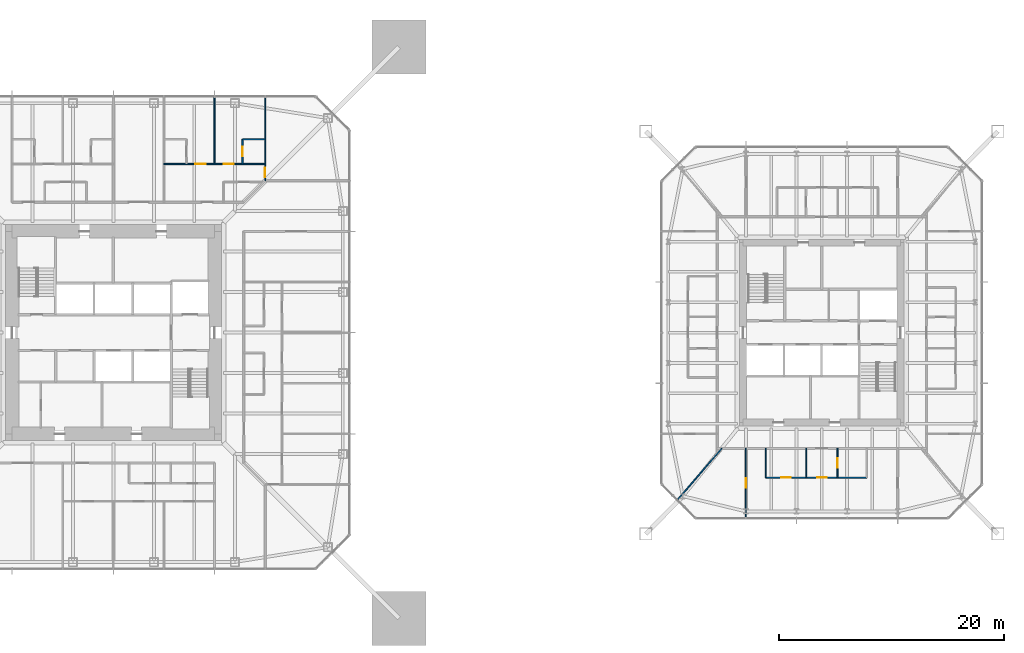
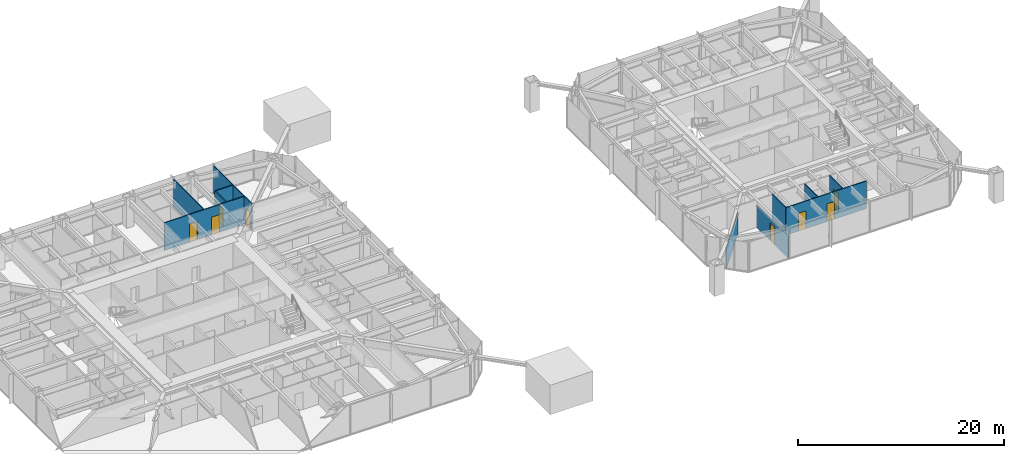
# One storey, part 16 of 25: 11 walls, 8 doors, 8 openings.
"""IFC4 building model written with IfcOpenShell, lengths in metres."""

import ifcopenshell
import ifcopenshell.guid

model = None  # the IFC model being written
_history = None  # IfcOwnerHistory: only IFC2X3 demands one
_inside = {}  # id of a spatial element -> (the spatial element, [elements in it])
_under = {}  # id of a project, library or spatial element -> (it, [spatial elements below it])
_declared = {}  # id of a project -> (the project, [libraries it declares])
_typed = {}  # id of a type object -> (the type object, [elements of that type])
_made_of = {}  # id of a material, layer set ... -> (it, [elements and type objects made of it])


def new_model(schema):
    """Start an empty IFC model of exactly this schema.

    Asked for "IFC4X3", IfcOpenShell would pick the latest addendum, in which some entities
    have other attributes; the version numbers below select the first issue.
    IFC2X3 requires an IfcOwnerHistory on every rooted entity: one is made here for all.
    """
    global model, _history
    if schema == "IFC4X3":
        model = ifcopenshell.file(schema_version=(4, 3, 0, 0))
    else:
        model = ifcopenshell.file(schema=schema)
    _inside.clear()
    _under.clear()
    _declared.clear()
    _typed.clear()
    _made_of.clear()
    _history = None
    if model.schema == "IFC2X3":
        org = make("IfcOrganization", Name="unknown")
        user = make(
            "IfcPersonAndOrganization",
            ThePerson=make("IfcPerson", FamilyName="unknown"),
            TheOrganization=org,
        )
        app = make(
            "IfcApplication",
            ApplicationDeveloper=org,
            Version="unknown",
            ApplicationFullName="unknown",
            ApplicationIdentifier="unknown",
        )
        _history = make(
            "IfcOwnerHistory",
            OwningUser=user,
            OwningApplication=app,
            ChangeAction="ADDED",
            CreationDate=0,
        )
    return model


def make(cls, **values):
    """One entity of the class cls with the attributes given. An attribute that is None is left unset."""
    return model.create_entity(
        cls, **{name: value for name, value in values.items() if value is not None}
    )


def rooted(cls, **values):
    """An entity with a GlobalId (a new one), such as an element, a storey or a relation."""
    return make(cls, GlobalId=ifcopenshell.guid.new(), OwnerHistory=_history, **values)


def si_unit(unit_type, name, prefix=None):
    """IfcSIUnit, for example si_unit("LENGTHUNIT", "METRE", prefix="MILLI")."""
    return make("IfcSIUnit", UnitType=unit_type, Prefix=prefix, Name=name)


def assignment(units):
    """IfcUnitAssignment: the units of a project."""
    return None if units is None else make("IfcUnitAssignment", Units=units)


def point(xyz):
    """IfcCartesianPoint."""
    return None if xyz is None else make("IfcCartesianPoint", Coordinates=xyz)


def direction(xyz):
    """IfcDirection."""
    return None if xyz is None else make("IfcDirection", DirectionRatios=xyz)


def frame(location, z_axis=None, x_axis=None):
    """IfcAxis2Placement3D, a coordinate frame: its origin and axes. An axis left out is left unset."""
    return make(
        "IfcAxis2Placement3D",
        Location=point(location),
        Axis=direction(z_axis),
        RefDirection=direction(x_axis),
    )


def frame_2d(location, x_axis=None):
    """IfcAxis2Placement2D, a coordinate frame in the plane: its origin and x axis."""
    return make(
        "IfcAxis2Placement2D", Location=point(location), RefDirection=direction(x_axis)
    )


def origin():
    """The frame at (0, 0, 0) with its axes left unset."""
    return frame((0.0, 0.0, 0.0))


def place(relative_to, where):
    """IfcLocalPlacement: puts the frame where relative to a parent placement (None: the world)."""
    return make(
        "IfcLocalPlacement", PlacementRelTo=relative_to, RelativePlacement=where
    )


def context(
    kind, dimensions, precision=None, world=None, true_north=None, identifier=None
):
    """IfcGeometricRepresentationContext, for example the 3D "Model" context."""
    return make(
        "IfcGeometricRepresentationContext",
        ContextIdentifier=identifier,
        ContextType=kind,
        CoordinateSpaceDimension=dimensions,
        Precision=precision,
        WorldCoordinateSystem=world,
        TrueNorth=true_north,
    )


def subcontext(parent, identifier, kind, view, scale=None):
    """IfcGeometricRepresentationSubContext, for example "Body" below "Model"."""
    return make(
        "IfcGeometricRepresentationSubContext",
        ContextIdentifier=identifier,
        ContextType=kind,
        ParentContext=parent,
        TargetScale=scale,
        TargetView=view,
    )


def project(units=None, contexts=None):
    """IfcProject with its units and contexts."""
    return rooted(
        "IfcProject",
        Name="project",
        RepresentationContexts=contexts,
        UnitsInContext=assignment(units),
    )


def spatial(cls, under=None, at=None, **own):
    """A site, building, storey or space (cls), placed at a placement, below another one or the project."""
    s = rooted(cls, ObjectPlacement=at, **own)
    if under is not None:
        _under.setdefault(under.id(), (under, []))[1].append(s)
    return s


def profile(cls, at=None, kind="AREA", **sizes):
    """A parametric profile (cls). Its sizes go by their IFC names, for example OverallWidth=200.0."""
    return make(cls, ProfileType=kind, Position=at, **sizes)


def rectangle(**sizes):
    """IfcRectangleProfileDef."""
    return profile("IfcRectangleProfileDef", **sizes)


def extrude(swept, where, along, depth):
    """IfcExtrudedAreaSolid: the profile swept, set in the frame where, extruded along a direction by depth."""
    return make(
        "IfcExtrudedAreaSolid",
        SweptArea=swept,
        Position=where,
        ExtrudedDirection=direction(along),
        Depth=depth,
    )


def shape(context_of_items, identifier, shape_type, items):
    """IfcShapeRepresentation: the items that make up one representation, for example the "Body"."""
    return make(
        "IfcShapeRepresentation",
        ContextOfItems=context_of_items,
        RepresentationIdentifier=identifier,
        RepresentationType=shape_type,
        Items=items,
    )


def material(Name=None, Category=None):
    """IfcMaterial."""
    return make("IfcMaterial", Name=Name, Category=Category)


def layer(
    of_material, thickness, ventilated=None, Name=None, Category=None, Priority=None
):
    """IfcMaterialLayer: one layer of a wall or slab, of a material (None: an air gap)."""
    return make(
        "IfcMaterialLayer",
        Material=of_material,
        LayerThickness=thickness,
        IsVentilated=ventilated,
        Name=Name,
        Category=Category,
        Priority=Priority,
    )


def layer_set(layers, Name=None):
    """IfcMaterialLayerSet."""
    return make("IfcMaterialLayerSet", MaterialLayers=layers, LayerSetName=Name)


def made_of(thing, what):
    """Note that an element or type object is made of a material, layer set ...; save() writes the relation."""
    if what is not None:
        _made_of.setdefault(what.id(), (what, []))[1].append(thing)
    return thing


def type_object(cls, material=None, **own):
    """A type object (cls), such as IfcWallType, which elements share."""
    return made_of(rooted(cls, **own), material)


def element(
    cls,
    number,
    at=None,
    inside=None,
    cuts=None,
    type_object=None,
    material=None,
    context=None,
    identifier="Body",
    shape_type=None,
    held_by="IfcProductDefinitionShape",
    body=None,
    shapes=None,
    **own,
):
    """One element of the class cls, such as IfcWall. Its Tag is "e" and its number.

    at: its placement. inside: the storey or other place that contains it. cuts: it is an
    opening in that element (IfcRelVoidsElement). A single representation is given by context,
    identifier, shape_type and body (its items); several are given by shapes. held_by: the class
    of the entity that holds the representations. save() writes the other relations.
    """
    e = rooted(cls, Tag="e%d" % number, ObjectPlacement=at, **own)
    if body is not None:
        shapes = [shape(context, identifier, shape_type, body)]
    if shapes is not None:
        e.Representation = make(held_by, Representations=shapes)
    if inside is not None:
        _inside.setdefault(inside.id(), (inside, []))[1].append(e)
    if cuts is not None:
        rooted(
            "IfcRelVoidsElement", RelatingBuildingElement=cuts, RelatedOpeningElement=e
        )
    if type_object is not None:
        _typed.setdefault(type_object.id(), (type_object, []))[1].append(e)
    return made_of(e, material)


def fill(opening, filler):
    """IfcRelFillsElement: the door or window that sits in an opening."""
    return rooted(
        "IfcRelFillsElement",
        RelatingOpeningElement=opening,
        RelatedBuildingElement=filler,
    )


def aggregate(whole, parts):
    """IfcRelAggregates: a whole, such as a stair, and the parts it consists of."""
    return rooted("IfcRelAggregates", RelatingObject=whole, RelatedObjects=parts)


def save(model, path):
    """Write the relations noted so far, then the file.

    IfcRelAggregates (storeys below a building ...), IfcRelContainedInSpatialStructure (elements
    in a storey), IfcRelDefinesByType, IfcRelAssociatesMaterial and IfcRelDeclares: one each for
    every whole, place, type object, material and project.
    """
    for whole, parts in _under.values():
        aggregate(whole, parts)
    for where, things in _inside.values():
        rooted(
            "IfcRelContainedInSpatialStructure",
            RelatedElements=things,
            RelatingStructure=where,
        )
    for kind, things in _typed.values():
        rooted("IfcRelDefinesByType", RelatedObjects=things, RelatingType=kind)
    for what, things in _made_of.values():
        rooted("IfcRelAssociatesMaterial", RelatedObjects=things, RelatingMaterial=what)
    for by, libraries in _declared.values():
        rooted("IfcRelDeclares", RelatingContext=by, RelatedDefinitions=libraries)
    model.write(path)


model = new_model("IFC4")

# Units and contexts
model_context = context("Model", 3, precision=1e-05, world=origin(), true_north=direction((0.0, 1.0)))
body_context = subcontext(model_context, "Body", "Model", "MODEL_VIEW")
ifc_project = project(units=[si_unit("LENGTHUNIT", "METRE"), si_unit("AREAUNIT", "SQUARE_METRE"), si_unit("VOLUMEUNIT", "CUBIC_METRE"), si_unit("PLANEANGLEUNIT", "RADIAN"), si_unit("MASSUNIT", "GRAM", prefix="KILO")], contexts=[model_context])

# Site, building, storey
site_placement = place(None, origin())
site = spatial("IfcSite", under=ifc_project, at=site_placement, CompositionType="ELEMENT")
building_placement = place(site_placement, origin())
building = spatial("IfcBuilding", under=site, at=building_placement, Name="Iwan Alto Co-Living Towers", CompositionType="ELEMENT")
storey_placement = place(building_placement, frame((0.0, 0.0, 112.0)))
storey = spatial("IfcBuildingStorey", under=building, at=storey_placement, Name="L30", CompositionType="ELEMENT", Elevation=112.0)

# Wall, openings, doors
ifc_material_1 = material(Name="Gypsum board")
ifc_layer_1 = layer(ifc_material_1, 0.012451171875, Name="Board", Category="Finish")
ifc_material_2 = material(Name="Steel ASTM A1003 ST33H cold-formed studs", Category="steel")
ifc_layer_2 = layer(ifc_material_2, 0.074951171875, Name="Studs", Category="Framing")
ifc_layer_3 = layer(ifc_material_1, 0.012451171875, Name="Board", Category="Finish")
ifc_layer_set_1 = layer_set([ifc_layer_1, ifc_layer_2, ifc_layer_3], Name="PARTITION 100")
wall_type_1 = type_object("IfcWallType", Name="PARTITION 100", PredefinedType="PARTITIONING", material=ifc_layer_set_1)
wall_1_placement = place(storey_placement, frame((58.0, -12.89990234375, 0.0), z_axis=(0.0, 0.0, 1.0), x_axis=(1.0, 0.0, 0.0)))
wall_1 = element("IfcWall", 1, at=wall_1_placement, inside=storey, type_object=wall_type_1, Name="Partition L30", PredefinedType="PARTITIONING", context=body_context, shape_type="SweptSolid", body=[
    extrude(rectangle(XDim=9.0, YDim=0.10009765625, at=frame_2d((4.5, 0.0))), origin(), (0.0, 0.0, 1.0), 3.27001953125),
])
opening_1_placement = place(wall_1_placement, frame((1.375, 0.0, 0.0)))
opening_1 = element("IfcOpeningElement", 2, at=opening_1_placement, cuts=wall_1, Name="Opening D2", PredefinedType="OPENING", context=body_context, shape_type="SweptSolid", body=[
    extrude(rectangle(XDim=0.85009765625, YDim=2.10009765625, at=frame_2d((0.425048828125, 1.050048828125))), frame((0.0, 0.06005859375, 0.0), z_axis=(0.0, -1.0, 0.0), x_axis=(1.0, 0.0, 0.0)), (0.0, 0.0, 1.0), 0.1201171875),
])
opening_2_placement = place(wall_1_placement, frame((4.574951171875, 0.0, 0.0)))
opening_2 = element("IfcOpeningElement", 3, at=opening_2_placement, cuts=wall_1, Name="Opening D2", PredefinedType="OPENING", context=body_context, shape_type="SweptSolid", body=[
    extrude(rectangle(XDim=0.85009765625, YDim=2.10009765625, at=frame_2d((0.425048828125, 1.050048828125))), frame((0.0, 0.06005859375, 0.0), z_axis=(0.0, -1.0, 0.0), x_axis=(1.0, 0.0, 0.0)), (0.0, 0.0, 1.0), 0.1201171875),
])
ifc_material_3 = material(Name="Timber leaf in steel frame", Category="steel")
door_type_1 = type_object("IfcDoorType", Name="ROOM DOOR 850X2100", OperationType="SINGLE_SWING_LEFT", PredefinedType="DOOR", material=ifc_material_3)
door_1_placement = place(opening_1_placement, frame((0.85009765625, 0.0, 0.0), z_axis=(0.0, 0.0, 1.0), x_axis=(-1.0, 0.0, 0.0)))
door_1 = element("IfcDoor", 4, at=door_1_placement, inside=storey, type_object=door_type_1, Name="Kitchen door L30", OperationType="SINGLE_SWING_RIGHT", OverallHeight=2.10009765625, OverallWidth=0.85009765625, PredefinedType="DOOR", context=body_context, shape_type="SweptSolid", body=[
    extrude(rectangle(XDim=0.85009765625, YDim=2.10009765625, at=frame_2d((0.425048828125, 1.050048828125))), frame((0.0, 0.02490234375, 0.0), z_axis=(0.0, -1.0, 0.0), x_axis=(1.0, 0.0, 0.0)), (0.0, 0.0, 1.0), 0.050048828125),
])
fill(opening_1, door_1)
door_2_placement = place(opening_2_placement, frame((0.85009765625, 0.0, 0.0), z_axis=(0.0, 0.0, 1.0), x_axis=(-1.0, 0.0, 0.0)))
door_2 = element("IfcDoor", 5, at=door_2_placement, inside=storey, type_object=door_type_1, Name="Apartment foyer door L30", OperationType="SINGLE_SWING_RIGHT", OverallHeight=2.10009765625, OverallWidth=0.85009765625, PredefinedType="DOOR", context=body_context, shape_type="SweptSolid", body=[
    extrude(rectangle(XDim=0.85009765625, YDim=2.10009765625, at=frame_2d((0.425048828125, 1.050048828125))), frame((0.0, 0.02490234375, 0.0), z_axis=(0.0, -1.0, 0.0), x_axis=(1.0, 0.0, 0.0)), (0.0, 0.0, 1.0), 0.050048828125),
])
fill(opening_2, door_2)

wall_2_placement = place(storey_placement, frame((4.5, 15.0, 0.0), z_axis=(0.0, 0.0, 1.0), x_axis=(1.0, 0.0, 0.0)))
wall_2 = element("IfcWall", 6, at=wall_2_placement, inside=storey, type_object=wall_type_1, Name="Partition L30", PredefinedType="PARTITIONING", context=body_context, shape_type="SweptSolid", body=[
    extrude(rectangle(XDim=9.0, YDim=0.10009765625, at=frame_2d((4.5, 0.0))), origin(), (0.0, 0.0, 1.0), 3.27001953125),
])
opening_3_placement = place(wall_2_placement, frame((5.300048828125, 0.0, 0.0)))
opening_3 = element("IfcOpeningElement", 7, at=opening_3_placement, cuts=wall_2, Name="Opening D1", PredefinedType="OPENING", context=body_context, shape_type="SweptSolid", body=[
    extrude(rectangle(XDim=0.89990234375, YDim=2.10009765625, at=frame_2d((0.449951171875, 1.050048828125))), frame((0.0, 0.06005859375, 0.0), z_axis=(0.0, -1.0, 0.0), x_axis=(1.0, 0.0, 0.0)), (0.0, 0.0, 1.0), 0.1201171875),
])
opening_4_placement = place(wall_2_placement, frame((2.800048828125, 0.0, 0.0)))
opening_4 = element("IfcOpeningElement", 8, at=opening_4_placement, cuts=wall_2, Name="Opening D1", PredefinedType="OPENING", context=body_context, shape_type="SweptSolid", body=[
    extrude(rectangle(XDim=0.89990234375, YDim=2.10009765625, at=frame_2d((0.449951171875, 1.050048828125))), frame((0.0, 0.06005859375, 0.0), z_axis=(0.0, -1.0, 0.0), x_axis=(1.0, 0.0, 0.0)), (0.0, 0.0, 1.0), 0.1201171875),
])
ifc_material_4 = material(Name="Timber leaf in steel frame", Category="steel")
door_type_2 = type_object("IfcDoorType", Name="BEDROOM DOOR 900X2100", OperationType="SINGLE_SWING_LEFT", PredefinedType="DOOR", material=ifc_material_4)
door_3_placement = place(opening_3_placement, frame((0.89990234375, 0.0, 0.0), z_axis=(0.0, 0.0, 1.0), x_axis=(-1.0, 0.0, 0.0)))
door_3 = element("IfcDoor", 9, at=door_3_placement, inside=storey, type_object=door_type_2, Name="Study bedroom door L30", OperationType="SINGLE_SWING_LEFT", OverallHeight=2.10009765625, OverallWidth=0.89990234375, PredefinedType="DOOR", context=body_context, shape_type="SweptSolid", body=[
    extrude(rectangle(XDim=0.89990234375, YDim=2.10009765625, at=frame_2d((0.449951171875, 1.050048828125))), frame((0.0, 0.02490234375, 0.0), z_axis=(0.0, -1.0, 0.0), x_axis=(1.0, 0.0, 0.0)), (0.0, 0.0, 1.0), 0.050048828125),
])
fill(opening_3, door_3)
door_4_placement = place(opening_4_placement, frame((0.89990234375, 0.0, 0.0), z_axis=(0.0, 0.0, 1.0), x_axis=(-1.0, 0.0, 0.0)))
door_4 = element("IfcDoor", 10, at=door_4_placement, inside=storey, type_object=door_type_2, Name="Study bedroom door L30", OperationType="SINGLE_SWING_RIGHT", OverallHeight=2.10009765625, OverallWidth=0.89990234375, PredefinedType="DOOR", context=body_context, shape_type="SweptSolid", body=[
    extrude(rectangle(XDim=0.89990234375, YDim=2.10009765625, at=frame_2d((0.449951171875, 1.050048828125))), frame((0.0, 0.02490234375, 0.0), z_axis=(0.0, -1.0, 0.0), x_axis=(1.0, 0.0, 0.0)), (0.0, 0.0, 1.0), 0.050048828125),
])
fill(opening_4, door_4)

# Walls
wall_3_placement = place(storey_placement, frame((50.179931640625, -14.844970703125, 0.0), z_axis=(0.0, 0.0, 1.0), x_axis=(0.653585997703, 0.756852260092, 0.0)))
element("IfcWall", 11, at=wall_3_placement, inside=storey, type_object=wall_type_1, Name="Partition L30", PredefinedType="PARTITIONING", context=body_context, shape_type="SweptSolid", body=[
    extrude(rectangle(XDim=6.005126953125, YDim=0.10009765625, at=frame_2d((3.00244140625, 0.0))), origin(), (0.0, 0.0, 1.0), 2.42919921875),
])
for number, where, z_axis, x_axis, name in (
    (12, (61.60009765625, -12.89990234375, 0.0), (0.0, 0.0, 1.0), (0.0, 1.0, 0.0), "Partition L30"),
    (13, (58.0, -12.89990234375, 0.0), (0.0, 0.0, 1.0), (0.0, 1.0, 0.0), "Partition L30"),
):
    element("IfcWall", number, at=place(storey_placement, frame(where, z_axis=z_axis, x_axis=x_axis)), inside=storey, type_object=wall_type_1, Name=name, PredefinedType="PARTITIONING", context=body_context, shape_type="SweptSolid", body=[
        extrude(rectangle(XDim=2.599853515625, YDim=0.10009765625, at=frame_2d((1.2998046875, 0.0))), origin(), (0.0, 0.0, 1.0), 3.27001953125),
    ])

# Wall, opening, door
wall_4_placement = place(storey_placement, frame((56.25, -16.43994140625, 0.0), z_axis=(0.0, 0.0, 1.0), x_axis=(0.0, 1.0, 0.0)))
wall_4 = element("IfcWall", 14, at=wall_4_placement, inside=storey, type_object=wall_type_1, Name="Partition L30", PredefinedType="PARTITIONING", context=body_context, shape_type="SweptSolid", body=[
    extrude(rectangle(XDim=6.139892578125, YDim=0.10009765625, at=frame_2d((3.06982421875, 0.0))), origin(), (0.0, 0.0, 1.0), 2.586669921875),
])
opening_5_placement = place(wall_4_placement, frame((2.64501953125, 0.0, 0.0)))
opening_5 = element("IfcOpeningElement", 15, at=opening_5_placement, cuts=wall_4, Name="Opening D2", PredefinedType="OPENING", context=body_context, shape_type="SweptSolid", body=[
    extrude(rectangle(XDim=0.85009765625, YDim=2.10009765625, at=frame_2d((0.425048828125, 1.050048828125))), frame((0.0, 0.06005859375, 0.0), z_axis=(0.0, -1.0, 0.0), x_axis=(1.0, 0.0, 0.0)), (0.0, 0.0, 1.0), 0.1201171875),
])
door_5_placement = place(opening_5_placement, frame((0.85009765625, 0.0, 0.0), z_axis=(0.0, 0.0, 1.0), x_axis=(-1.0, 0.0, 0.0)))
door_5 = element("IfcDoor", 16, at=door_5_placement, inside=storey, type_object=door_type_1, Name="Bedroom door L30", OperationType="SINGLE_SWING_LEFT", OverallHeight=2.10009765625, OverallWidth=0.85009765625, PredefinedType="DOOR", context=body_context, shape_type="SweptSolid", body=[
    extrude(rectangle(XDim=0.85009765625, YDim=2.10009765625, at=frame_2d((0.425048828125, 1.050048828125))), frame((0.0, 0.02490234375, 0.0), z_axis=(0.0, -1.0, 0.0), x_axis=(1.0, 0.0, 0.0)), (0.0, 0.0, 1.0), 0.050048828125),
])
fill(opening_5, door_5)

wall_5_placement = place(storey_placement, frame((13.5, 13.5, 0.0), z_axis=(0.0, 0.0, 1.0), x_axis=(0.0, 1.0, 0.0)))
wall_5 = element("IfcWall", 17, at=wall_5_placement, inside=storey, type_object=wall_type_1, Name="Partition L30", PredefinedType="PARTITIONING", context=body_context, shape_type="SweptSolid", body=[
    extrude(rectangle(XDim=7.43994140625, YDim=0.10009765625, at=frame_2d((3.719970703125, 0.0))), origin(), (0.0, 0.0, 1.0), 3.27001953125),
])
opening_6_placement = place(wall_5_placement, frame((0.324951171875, 0.0, 0.0)))
opening_6 = element("IfcOpeningElement", 18, at=opening_6_placement, cuts=wall_5, Name="Opening D2", PredefinedType="OPENING", context=body_context, shape_type="SweptSolid", body=[
    extrude(rectangle(XDim=0.85009765625, YDim=2.10009765625, at=frame_2d((0.425048828125, 1.050048828125))), frame((0.0, 0.06005859375, 0.0), z_axis=(0.0, -1.0, 0.0), x_axis=(1.0, 0.0, 0.0)), (0.0, 0.0, 1.0), 0.1201171875),
])
door_6_placement = place(opening_6_placement, frame((0.85009765625, 0.0, 0.0), z_axis=(0.0, 0.0, 1.0), x_axis=(-1.0, 0.0, 0.0)))
door_6 = element("IfcDoor", 19, at=door_6_placement, inside=storey, type_object=door_type_1, Name="Shared kitchen and lounge door L30", OperationType="SINGLE_SWING_RIGHT", OverallHeight=2.10009765625, OverallWidth=0.85009765625, PredefinedType="DOOR", context=body_context, shape_type="SweptSolid", body=[
    extrude(rectangle(XDim=0.85009765625, YDim=2.10009765625, at=frame_2d((0.425048828125, 1.050048828125))), frame((0.0, 0.02490234375, 0.0), z_axis=(0.0, -1.0, 0.0), x_axis=(1.0, 0.0, 0.0)), (0.0, 0.0, 1.0), 0.050048828125),
])
fill(opening_6, door_6)

# Walls
wall_6_placement = place(storey_placement, frame((9.0, 15.0, 0.0), z_axis=(0.0, 0.0, 1.0), x_axis=(0.0, 1.0, 0.0)))
element("IfcWall", 20, at=wall_6_placement, inside=storey, type_object=wall_type_1, Name="Partition L30", PredefinedType="PARTITIONING", context=body_context, shape_type="SweptSolid", body=[
    extrude(rectangle(XDim=5.93994140625, YDim=0.10009765625, at=frame_2d((2.969970703125, 0.0))), origin(), (0.0, 0.0, 1.0), 3.27001953125),
])
ifc_material_5 = material(Name="Cement board")
ifc_layer_4 = layer(ifc_material_5, 0.012451171875, Name="Board", Category="Finish")
ifc_layer_5 = layer(ifc_material_2, 0.094970703125, Name="Studs", Category="Framing")
ifc_layer_6 = layer(ifc_material_5, 0.012451171875, Name="Board", Category="Finish")
ifc_layer_set_2 = layer_set([ifc_layer_4, ifc_layer_5, ifc_layer_6], Name="WET AREA PARTITION 120")
wall_type_2 = type_object("IfcWallType", Name="WET AREA PARTITION 120", PredefinedType="PARTITIONING", material=ifc_layer_set_2)
wall_7_placement = place(storey_placement, frame((11.5, 17.199951171875, 0.0), z_axis=(0.0, 0.0, 1.0), x_axis=(1.0, 0.0, 0.0)))
element("IfcWall", 21, at=wall_7_placement, inside=storey, type_object=wall_type_2, Name="Partition L30", PredefinedType="PARTITIONING", context=body_context, shape_type="SweptSolid", body=[
    extrude(rectangle(XDim=2.0, YDim=0.1201171875, at=frame_2d((1.0, 0.0))), origin(), (0.0, 0.0, 1.0), 3.27001953125),
])

# Wall, opening, door
wall_8_placement = place(storey_placement, frame((64.39990234375, -12.89990234375, 0.0), z_axis=(0.0, 0.0, 1.0), x_axis=(0.0, 1.0, 0.0)))
wall_8 = element("IfcWall", 22, at=wall_8_placement, inside=storey, type_object=wall_type_2, Name="Partition L30", PredefinedType="PARTITIONING", context=body_context, shape_type="SweptSolid", body=[
    extrude(rectangle(XDim=2.599853515625, YDim=0.1201171875, at=frame_2d((1.2998046875, 0.0))), origin(), (0.0, 0.0, 1.0), 3.27001953125),
])
opening_7_placement = place(wall_8_placement, frame((0.875, 0.0, 0.0)))
opening_7 = element("IfcOpeningElement", 23, at=opening_7_placement, cuts=wall_8, Name="Opening D2", PredefinedType="OPENING", context=body_context, shape_type="SweptSolid", body=[
    extrude(rectangle(XDim=0.85009765625, YDim=2.10009765625, at=frame_2d((0.425048828125, 1.050048828125))), frame((0.0, 0.070068359375, 0.0), z_axis=(0.0, -1.0, 0.0), x_axis=(1.0, 0.0, 0.0)), (0.0, 0.0, 1.0), 0.14013671875),
])
door_7_placement = place(opening_7_placement, frame((0.85009765625, 0.0, 0.0), z_axis=(0.0, 0.0, 1.0), x_axis=(-1.0, 0.0, 0.0)))
door_7 = element("IfcDoor", 24, at=door_7_placement, inside=storey, type_object=door_type_1, Name="Bathroom door L30", OperationType="SINGLE_SWING_RIGHT", OverallHeight=2.10009765625, OverallWidth=0.85009765625, PredefinedType="DOOR", context=body_context, shape_type="SweptSolid", body=[
    extrude(rectangle(XDim=0.85009765625, YDim=2.10009765625, at=frame_2d((0.425048828125, 1.050048828125))), frame((0.0, 0.02490234375, 0.0), z_axis=(0.0, -1.0, 0.0), x_axis=(1.0, 0.0, 0.0)), (0.0, 0.0, 1.0), 0.050048828125),
])
fill(opening_7, door_7)

wall_9_placement = place(storey_placement, frame((11.5, 15.0, 0.0), z_axis=(0.0, 0.0, 1.0), x_axis=(0.0, 1.0, 0.0)))
wall_9 = element("IfcWall", 25, at=wall_9_placement, inside=storey, type_object=wall_type_2, Name="Partition L30", PredefinedType="PARTITIONING", context=body_context, shape_type="SweptSolid", body=[
    extrude(rectangle(XDim=2.199951171875, YDim=0.1201171875, at=frame_2d((1.10009765625, 0.0))), origin(), (0.0, 0.0, 1.0), 3.27001953125),
])
opening_8_placement = place(wall_9_placement, frame((0.675048828125, 0.0, 0.0)))
opening_8 = element("IfcOpeningElement", 26, at=opening_8_placement, cuts=wall_9, Name="Opening D2", PredefinedType="OPENING", context=body_context, shape_type="SweptSolid", body=[
    extrude(rectangle(XDim=0.85009765625, YDim=2.10009765625, at=frame_2d((0.425048828125, 1.050048828125))), frame((0.0, 0.070068359375, 0.0), z_axis=(0.0, -1.0, 0.0), x_axis=(1.0, 0.0, 0.0)), (0.0, 0.0, 1.0), 0.14013671875),
])
door_8_placement = place(opening_8_placement, origin())
door_8 = element("IfcDoor", 27, at=door_8_placement, inside=storey, type_object=door_type_1, Name="En-suite shower room door L30", OperationType="SINGLE_SWING_LEFT", OverallHeight=2.10009765625, OverallWidth=0.85009765625, PredefinedType="DOOR", context=body_context, shape_type="SweptSolid", body=[
    extrude(rectangle(XDim=0.85009765625, YDim=2.10009765625, at=frame_2d((0.425048828125, 1.050048828125))), frame((0.0, 0.02490234375, 0.0), z_axis=(0.0, -1.0, 0.0), x_axis=(1.0, 0.0, 0.0)), (0.0, 0.0, 1.0), 0.050048828125),
])
fill(opening_8, door_8)

save(model, "model.ifc")
